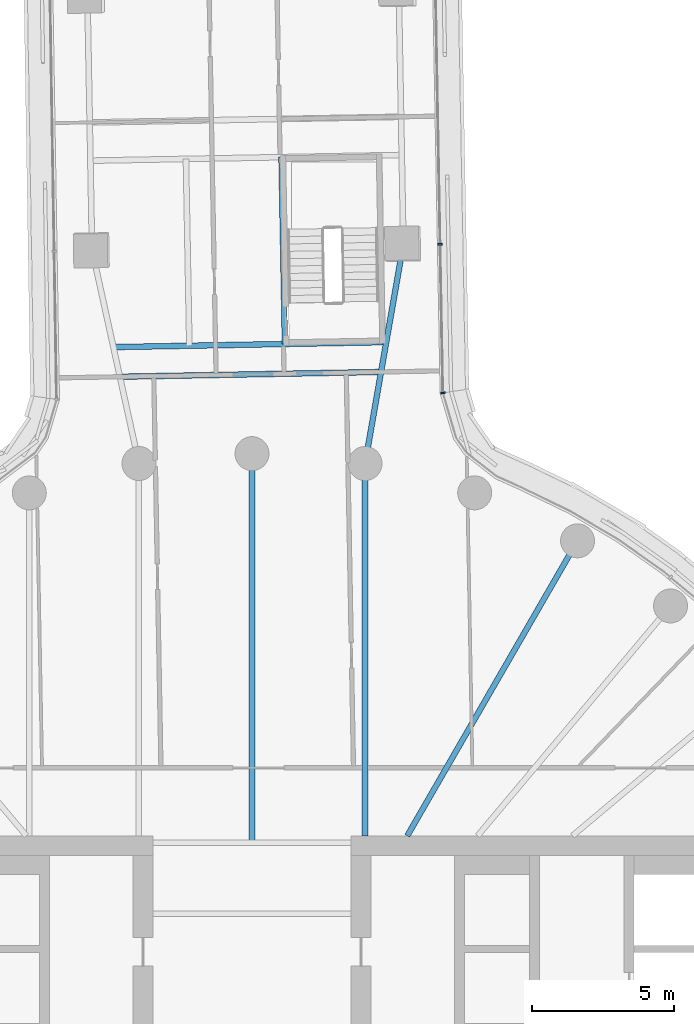
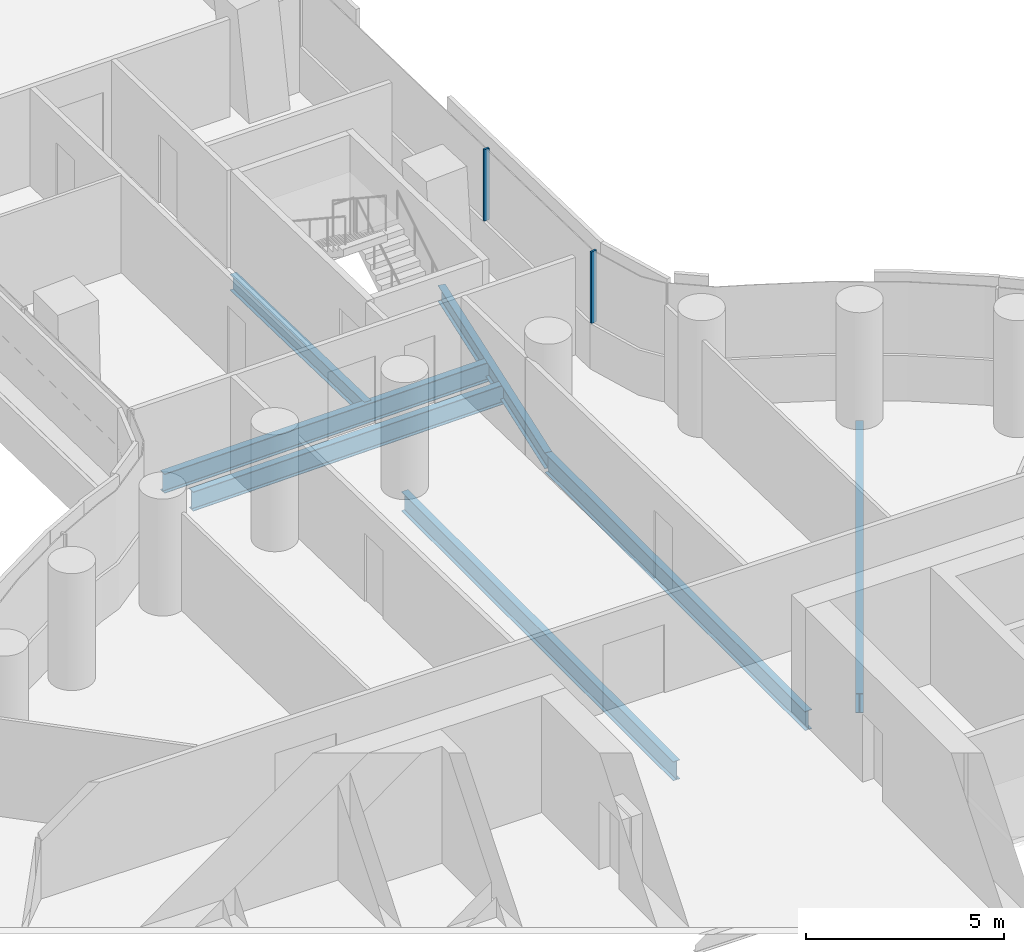
# One storey, part 14 of 31: 7 beams, 2 members, 1 element without a shape of its own.
"""IFC4 building model written with IfcOpenShell, lengths in metres."""

from ifc_helpers import new_model, si_unit, direction, frame, origin, origin_2d, place, context, subcontext, project, spatial, rectangle, i_section, extrude, material, layer, layer_set, material_profile, profile_set, type_object, element, aggregate, save


model = new_model("IFC4")

# Units and contexts
model_context = context("Model", 3, precision=1e-05, world=origin(), true_north=direction((0.0, 1.0)))
body_context = subcontext(model_context, "Body", "Model", "MODEL_VIEW")
ifc_project = project(units=[si_unit("LENGTHUNIT", "METRE"), si_unit("AREAUNIT", "SQUARE_METRE"), si_unit("VOLUMEUNIT", "CUBIC_METRE"), si_unit("PLANEANGLEUNIT", "RADIAN"), si_unit("MASSUNIT", "GRAM", prefix="KILO")], contexts=[model_context])

# Site, building, storey
site_placement = place(None, origin())
site = spatial("IfcSite", under=ifc_project, at=site_placement, CompositionType="ELEMENT")
building_placement = place(site_placement, origin())
building = spatial("IfcBuilding", under=site, at=building_placement, Name="Tamarind Cross Interchange Tower", CompositionType="ELEMENT")
storey_placement = place(building_placement, frame((0.0, 0.0, 37.75)))
storey = spatial("IfcBuildingStorey", under=building, at=storey_placement, Name="L07", CompositionType="ELEMENT", Elevation=37.75)

# Beams
ifc_material_1 = material(Name="Steel Q355B", Category="steel")
ifc_material_profile_1 = material_profile(ifc_material_1, i_section(OverallWidth=0.198974609375, OverallDepth=0.49609375, WebThickness=0.009033203125, FlangeThickness=0.013916015625, FilletRadius=0.012939453125, at=origin_2d()), Name="HN 496x199x9x14")
ifc_profile_set_1 = profile_set([ifc_material_profile_1], Name="Steel Q355B")
beam_type_1 = type_object("IfcBeamType", Name="Composite beam HN 496x199x9x14 Q355B", PredefinedType="BEAM", material=ifc_profile_set_1)
beam_1_placement = place(storey_placement, frame((5.34765625, 30.39892578125, -0.387939453125), z_axis=(-0.172110030012, -0.98507773174, 0.0), x_axis=(0.98507773174, -0.172110030012, 0.0)))
element("IfcBeam", 1, at=beam_1_placement, inside=storey, type_object=beam_type_1, Name="Beam N-linkem", PredefinedType="BEAM", context=body_context, shape_type="SweptSolid", body=[
    extrude(i_section(OverallWidth=0.198974609375, OverallDepth=0.49609375, WebThickness=0.009033203125, FlangeThickness=0.013916015625, FilletRadius=0.012939453125, at=origin_2d()), origin(), (0.0, 0.0, 1.0), 7.86572265625),
])
beam_2_placement = place(storey_placement, frame((1.161376953125, 26.8720703125, -0.387939453125), z_axis=(-0.018236635224, 0.99983369874, 0.0), x_axis=(-0.99983369874, -0.018236635224, 0.0)))
element("IfcBeam", 2, at=beam_2_placement, inside=storey, type_object=beam_type_1, Name="Beam N-tr1", PredefinedType="BEAM", context=body_context, shape_type="SweptSolid", body=[
    extrude(i_section(OverallWidth=0.198974609375, OverallDepth=0.49609375, WebThickness=0.009033203125, FlangeThickness=0.013916015625, FilletRadius=0.012939453125, at=origin_2d()), origin(), (0.0, 0.0, 1.0), 6.599853515625),
])
ifc_material_profile_2 = material_profile(ifc_material_1, i_section(OverallWidth=0.198974609375, OverallDepth=0.595947265625, WebThickness=0.010009765625, FlangeThickness=0.014892578125, FilletRadius=0.012939453125, at=origin_2d()), Name="HN 596x199x10x15")
ifc_profile_set_2 = profile_set([ifc_material_profile_2], Name="Steel Q355B")
beam_type_2 = type_object("IfcBeamType", Name="Composite beam HN 596x199x10x15 Q355B", PredefinedType="BEAM", material=ifc_profile_set_2)
beam_3_placement = place(storey_placement, frame((11.5, 19.918701171875, -0.43798828125), z_axis=(-0.499993565836, -0.866029118519, 0.0), x_axis=(0.866029118519, -0.499993565836, 0.0)))
element("IfcBeam", 3, at=beam_3_placement, inside=storey, type_object=beam_type_2, Name="Beam HH06", PredefinedType="BEAM", context=body_context, shape_type="SweptSolid", body=[
    extrude(i_section(OverallWidth=0.198974609375, OverallDepth=0.595947265625, WebThickness=0.010009765625, FlangeThickness=0.014892578125, FilletRadius=0.012939453125, at=origin_2d()), origin(), (0.0, 0.0, 1.0), 12.030517578125),
])
beam_4_placement = place(storey_placement, frame((3.993896484375, 22.650634765625, -0.43798828125), z_axis=(0.0, -1.0, 0.0), x_axis=(1.0, 0.0, 0.0)))
element("IfcBeam", 4, at=beam_4_placement, inside=storey, type_object=beam_type_2, Name="Beam HH08", PredefinedType="BEAM", context=body_context, shape_type="SweptSolid", body=[
    extrude(i_section(OverallWidth=0.198974609375, OverallDepth=0.595947265625, WebThickness=0.010009765625, FlangeThickness=0.014892578125, FilletRadius=0.012939453125, at=origin_2d()), origin(), (0.0, 0.0, 1.0), 13.150634765625),
])
beam_5_placement = place(storey_placement, frame((0.0, 23.0, -0.43798828125), z_axis=(0.0, -1.0, 0.0), x_axis=(1.0, 0.0, 0.0)))
element("IfcBeam", 5, at=beam_5_placement, inside=storey, type_object=beam_type_2, Name="Beam HH09", PredefinedType="BEAM", context=body_context, shape_type="SweptSolid", body=[
    extrude(i_section(OverallWidth=0.198974609375, OverallDepth=0.595947265625, WebThickness=0.010009765625, FlangeThickness=0.014892578125, FilletRadius=0.012939453125, at=origin_2d()), origin(), (0.0, 0.0, 1.0), 13.75),
])
ifc_material_profile_3 = material_profile(ifc_material_1, i_section(OverallWidth=0.199951171875, OverallDepth=0.60009765625, WebThickness=0.010986328125, FlangeThickness=0.01708984375, FilletRadius=0.012939453125, at=origin_2d()), Name="HN 600x200x11x17")
ifc_profile_set_3 = profile_set([ifc_material_profile_3], Name="Steel Q355B")
beam_type_3 = type_object("IfcBeamType", Name="Composite beam HN 600x200x11x17 Q355B", PredefinedType="BEAM", material=ifc_profile_set_3)
beam_6_placement = place(storey_placement, frame((4.742919921875, 26.937255859375, -0.43994140625), z_axis=(-0.999833762728, -0.01823312672, 0.0), x_axis=(0.01823312672, -0.999833762728, 0.0)))
element("IfcBeam", 6, at=beam_6_placement, inside=storey, type_object=beam_type_3, Name="Beam N-x268", PredefinedType="BEAM", context=body_context, shape_type="SweptSolid", body=[
    extrude(i_section(OverallWidth=0.199951171875, OverallDepth=0.60009765625, WebThickness=0.010986328125, FlangeThickness=0.01708984375, FilletRadius=0.012939453125, at=origin_2d()), origin(), (0.0, 0.0, 1.0), 9.640869140625),
])
beam_7_placement = place(storey_placement, frame((4.558837890625, 25.8837890625, -0.43994140625), z_axis=(-0.999833805998, -0.01823075376, 0.0), x_axis=(0.01823075376, -0.999833805998, 0.0)))
element("IfcBeam", 7, at=beam_7_placement, inside=storey, type_object=beam_type_3, Name="Beam N-x258", PredefinedType="BEAM", context=body_context, shape_type="SweptSolid", body=[
    extrude(i_section(OverallWidth=0.199951171875, OverallDepth=0.60009765625, WebThickness=0.010986328125, FlangeThickness=0.01708984375, FilletRadius=0.012939453125, at=origin_2d()), origin(), (0.0, 0.0, 1.0), 9.226806640625),
])

# Curtain wall, members
ifc_material_2 = material(Name="Aluminium 6063-T6", Category="aluminium")
ifc_layer = layer(ifc_material_2, 0.159912109375)
ifc_layer_set = layer_set([ifc_layer], Name="Aluminium 6063-T6")
curtain_wall_type = type_object("IfcCurtainWallType", Name="Office curtain wall, 9.0 m bays", PredefinedType="NOTDEFINED", material=ifc_layer_set)
curtain_wall_placement = place(storey_placement, origin())
curtain_wall = element("IfcCurtainWall", 8, at=curtain_wall_placement, inside=storey, type_object=curtain_wall_type, Name="CWS-L07-15", PredefinedType="NOTDEFINED")
ifc_material_profile_4 = material_profile(ifc_material_2, rectangle(XDim=0.06005859375, YDim=0.159912109375, at=origin_2d()), Name="Mullion CW1")
ifc_profile_set_4 = profile_set([ifc_material_profile_4], Name="Aluminium 6063-T6")
member_type = type_object("IfcMemberType", Name="Mullion CW1", PredefinedType="MULLION", material=ifc_profile_set_4)
member_1_placement = place(storey_placement, frame((6.743896484375, 25.142333984375, 1.39990234375), z_axis=(0.0, 0.0, 1.0), x_axis=(-0.151689368643, 0.988428214612, 0.0)))
member_1 = element("IfcMember", 9, at=member_1_placement, type_object=member_type, Name="CWM-L07-15-00", PredefinedType="MULLION", context=body_context, shape_type="SweptSolid", body=[
    extrude(rectangle(XDim=0.06005859375, YDim=0.159912109375, at=origin_2d()), origin(), (0.0, 0.0, 1.0), 2.210205078125),
])
member_2_placement = place(storey_placement, frame((6.64794921875, 30.395751953125, 1.39990234375), z_axis=(0.0, 0.0, 1.0), x_axis=(-0.018234189439, 0.999833743347, 0.0)))
member_2 = element("IfcMember", 10, at=member_2_placement, type_object=member_type, Name="CWM-L07-15-01", PredefinedType="MULLION", context=body_context, shape_type="SweptSolid", body=[
    extrude(rectangle(XDim=0.06005859375, YDim=0.159912109375, at=origin_2d()), origin(), (0.0, 0.0, 1.0), 2.210205078125),
])
aggregate(curtain_wall, [member_1, member_2])

save(model, "model.ifc")
